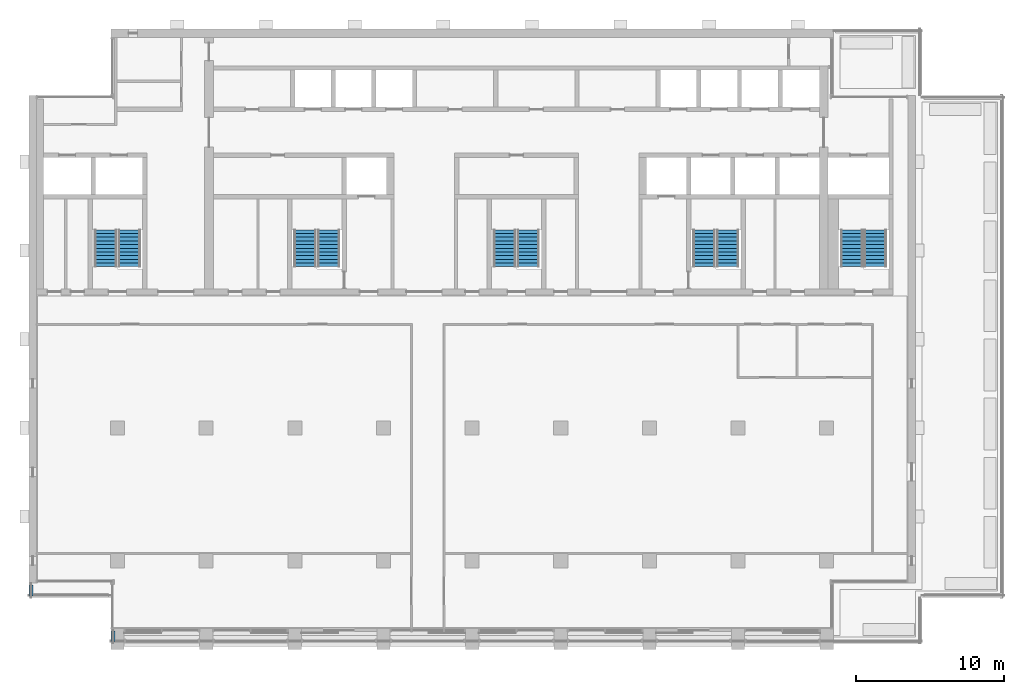
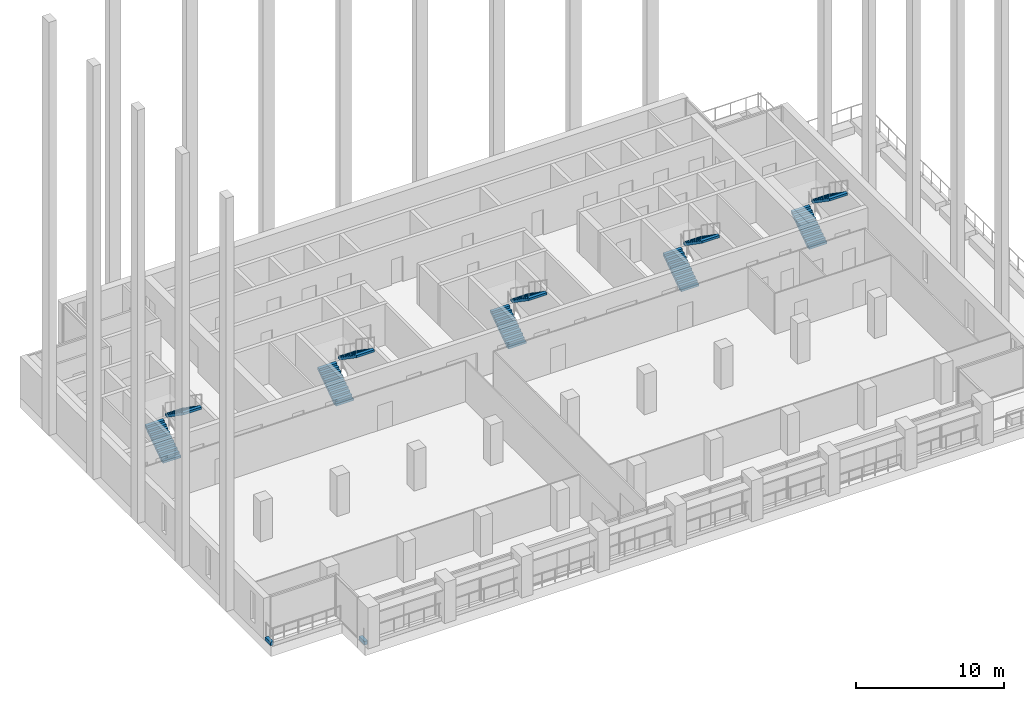
# One storey, part 12 of 16: 10 stair flights, 2 walls, 5 elements without a shape of their own.
"""IFC4 building model written with IfcOpenShell, lengths in metres."""

from ifc_helpers import new_model, si_unit, direction, frame, frame_2d, origin, place, context, subcontext, project, spatial, polyline, rectangle, outline, extrude, material, layer, layer_set, type_object, element, aggregate, save


model = new_model("IFC4")

# Units and contexts
model_context = context("Model", 3, precision=1e-05, world=origin(), true_north=direction((0.0, 1.0)))
body_context = subcontext(model_context, "Body", "Model", "MODEL_VIEW")
ifc_project = project(units=[si_unit("LENGTHUNIT", "METRE"), si_unit("AREAUNIT", "SQUARE_METRE"), si_unit("VOLUMEUNIT", "CUBIC_METRE"), si_unit("PLANEANGLEUNIT", "RADIAN"), si_unit("MASSUNIT", "GRAM", prefix="KILO")], contexts=[model_context])

# Site, building, storey
site_placement = place(None, origin())
site = spatial("IfcSite", under=ifc_project, at=site_placement, CompositionType="ELEMENT")
building_placement = place(site_placement, origin())
building = spatial("IfcBuilding", under=site, at=building_placement, Name="Calvaro Tower", CompositionType="ELEMENT")
storey_placement = place(building_placement, frame((0.0, 0.0, 231.75)))
storey = spatial("IfcBuildingStorey", under=building, at=storey_placement, Name="L58", CompositionType="ELEMENT", Elevation=231.75)

# Walls
ifc_material_1 = material(Name="Concrete C40/50", Category="concrete")
ifc_layer_1 = layer(ifc_material_1, 0.199951171875, Name="Structure")
ifc_material_2 = material(Name="Reconstituted stone coping")
ifc_layer_2 = layer(ifc_material_2, 0.050048828125, Name="Finish")
ifc_layer_set = layer_set([ifc_layer_1, ifc_layer_2], Name="Concrete C40/50")
wall_type = type_object("IfcWallType", Name="Terrace edge kerb 250", PredefinedType="PARAPET", material=ifc_layer_set)
for number, where, z_axis, x_axis, name in (
    (1, (6.14990234375, 7.625, 0.0), (0.0, 0.0, 1.0), (0.0, 1.0, 0.0), "Terrace edge kerb"),
    (2, (11.699951171875, 4.52490234375, 0.0), (0.0, 0.0, 1.0), (0.0, 1.0, 0.0), "Terrace edge kerb"),
):
    element("IfcWall", number, at=place(storey_placement, frame(where, z_axis=z_axis, x_axis=x_axis)), inside=storey, type_object=wall_type, Name=name, PredefinedType="PARAPET", context=body_context, shape_type="SweptSolid", body=[
        extrude(rectangle(XDim=0.72998046875, YDim=0.25, at=frame_2d((0.364990234375, 0.0))), origin(), (0.0, 0.0, 1.0), 0.300048828125),
    ])

# Stair, stair flights
ifc_material_3 = material(Name="Concrete C40/50", Category="concrete")
stair_type = type_object("IfcStairType", Name="Exit stair 1400 2 flights", PredefinedType="HALF_TURN_STAIR", material=ifc_material_3)
stair_1_placement = place(storey_placement, origin())
stair_1 = element("IfcStair", 3, at=stair_1_placement, inside=storey, type_object=stair_type, Name="Exit stair S1", PredefinedType="HALF_TURN_STAIR")
ifc_material_4 = material(Name="Concrete C40/50", Category="concrete")
stair_flight_type = type_object("IfcStairFlightType", Name="Stair flight", PredefinedType="STRAIGHT", material=ifc_material_4)
stair_flight_1_placement = place(storey_placement, frame((11.199951171875, 29.89990234375, 0.0), z_axis=(0.0, 0.0, 1.0), x_axis=(0.0, 1.0, 0.0)))
stair_flight_1 = element("IfcStairFlight", 4, at=stair_flight_1_placement, type_object=stair_flight_type, Name="Exit stair 1, flight 1", NumberOfRisers=11, NumberOfTreads=10, PredefinedType="STRAIGHT", RiserHeight=0.172727273, TreadLength=0.25, context=body_context, shape_type="SweptSolid", body=[
    extrude(outline(polyline([(0.0, 0.0), (0.0, 0.172607421875), (0.25, 0.172607421875), (0.25, 0.345458984375), (0.5, 0.345458984375), (0.5, 0.51806640625), (0.75, 0.51806640625), (0.75, 0.69091796875), (1.0, 0.69091796875), (1.0, 0.863525390625), (1.25, 0.863525390625), (1.25, 1.036376953125), (1.5, 1.036376953125), (1.5, 1.208984375), (1.75, 1.208984375), (1.75, 1.3818359375), (2.0, 1.3818359375), (2.0, 1.554443359375), (2.25, 1.554443359375), (2.25, 1.727294921875), (2.5, 1.727294921875), (2.5, 1.89990234375), (2.5, 1.545166015625), (0.263671875, 0.0), (0.0, 0.0)])), frame((0.0, 0.699951171875, 0.0), z_axis=(0.0, -1.0, 0.0), x_axis=(1.0, 0.0, 0.0)), (0.0, 0.0, 1.0), 1.39990234375),
])
stair_flight_2_placement = place(storey_placement, frame((12.800048828125, 32.39990234375, 1.89990234375), z_axis=(0.0, 0.0, 1.0), x_axis=(0.0, -1.0, 0.0)))
stair_flight_2 = element("IfcStairFlight", 5, at=stair_flight_2_placement, type_object=stair_flight_type, Name="Exit stair 1, flight 2", NumberOfRisers=11, NumberOfTreads=10, PredefinedType="STRAIGHT", RiserHeight=0.172727273, TreadLength=0.25, context=body_context, shape_type="SweptSolid", body=[
    extrude(outline(polyline([(0.0, 0.0), (0.0, 0.172607421875), (0.25, 0.172607421875), (0.25, 0.345458984375), (0.5, 0.345458984375), (0.5, 0.51806640625), (0.75, 0.51806640625), (0.75, 0.69091796875), (1.0, 0.69091796875), (1.0, 0.863525390625), (1.25, 0.863525390625), (1.25, 1.036376953125), (1.5, 1.036376953125), (1.5, 1.208984375), (1.75, 1.208984375), (1.75, 1.3818359375), (2.0, 1.3818359375), (2.0, 1.554443359375), (2.25, 1.554443359375), (2.25, 1.727294921875), (2.5, 1.727294921875), (2.5, 1.89990234375), (2.5, 1.545166015625), (0.263671875, 0.0), (0.0, 0.0)])), frame((0.0, 0.699951171875, 0.0), z_axis=(0.0, -1.0, 0.0), x_axis=(1.0, 0.0, 0.0)), (0.0, 0.0, 1.0), 1.39990234375),
])
aggregate(stair_1, [stair_flight_1, stair_flight_2])

stair_2_placement = place(storey_placement, origin())
stair_2 = element("IfcStair", 6, at=stair_2_placement, inside=storey, type_object=stair_type, Name="Exit stair S2", PredefinedType="HALF_TURN_STAIR")
stair_flight_3_placement = place(storey_placement, frame((24.699951171875, 29.89990234375, 0.0), z_axis=(0.0, 0.0, 1.0), x_axis=(0.0, 1.0, 0.0)))
stair_flight_3 = element("IfcStairFlight", 7, at=stair_flight_3_placement, type_object=stair_flight_type, Name="Exit stair 2, flight 1", NumberOfRisers=11, NumberOfTreads=10, PredefinedType="STRAIGHT", RiserHeight=0.172727273, TreadLength=0.25, context=body_context, shape_type="SweptSolid", body=[
    extrude(outline(polyline([(0.0, 0.0), (0.0, 0.172607421875), (0.25, 0.172607421875), (0.25, 0.345458984375), (0.5, 0.345458984375), (0.5, 0.51806640625), (0.75, 0.51806640625), (0.75, 0.69091796875), (1.0, 0.69091796875), (1.0, 0.863525390625), (1.25, 0.863525390625), (1.25, 1.036376953125), (1.5, 1.036376953125), (1.5, 1.208984375), (1.75, 1.208984375), (1.75, 1.3818359375), (2.0, 1.3818359375), (2.0, 1.554443359375), (2.25, 1.554443359375), (2.25, 1.727294921875), (2.5, 1.727294921875), (2.5, 1.89990234375), (2.5, 1.545166015625), (0.263671875, 0.0), (0.0, 0.0)])), frame((0.0, 0.699951171875, 0.0), z_axis=(0.0, -1.0, 0.0), x_axis=(1.0, 0.0, 0.0)), (0.0, 0.0, 1.0), 1.39990234375),
])
stair_flight_4_placement = place(storey_placement, frame((26.300048828125, 32.39990234375, 1.89990234375), z_axis=(0.0, 0.0, 1.0), x_axis=(0.0, -1.0, 0.0)))
stair_flight_4 = element("IfcStairFlight", 8, at=stair_flight_4_placement, type_object=stair_flight_type, Name="Exit stair 2, flight 2", NumberOfRisers=11, NumberOfTreads=10, PredefinedType="STRAIGHT", RiserHeight=0.172727273, TreadLength=0.25, context=body_context, shape_type="SweptSolid", body=[
    extrude(outline(polyline([(0.0, 0.0), (0.0, 0.172607421875), (0.25, 0.172607421875), (0.25, 0.345458984375), (0.5, 0.345458984375), (0.5, 0.51806640625), (0.75, 0.51806640625), (0.75, 0.69091796875), (1.0, 0.69091796875), (1.0, 0.863525390625), (1.25, 0.863525390625), (1.25, 1.036376953125), (1.5, 1.036376953125), (1.5, 1.208984375), (1.75, 1.208984375), (1.75, 1.3818359375), (2.0, 1.3818359375), (2.0, 1.554443359375), (2.25, 1.554443359375), (2.25, 1.727294921875), (2.5, 1.727294921875), (2.5, 1.89990234375), (2.5, 1.545166015625), (0.263671875, 0.0), (0.0, 0.0)])), frame((0.0, 0.699951171875, 0.0), z_axis=(0.0, -1.0, 0.0), x_axis=(1.0, 0.0, 0.0)), (0.0, 0.0, 1.0), 1.39990234375),
])
aggregate(stair_2, [stair_flight_3, stair_flight_4])

stair_3_placement = place(storey_placement, origin())
stair_3 = element("IfcStair", 9, at=stair_3_placement, inside=storey, type_object=stair_type, Name="Exit stair S3", PredefinedType="HALF_TURN_STAIR")
stair_flight_5_placement = place(storey_placement, frame((38.199951171875, 29.89990234375, 0.0), z_axis=(0.0, 0.0, 1.0), x_axis=(0.0, 1.0, 0.0)))
stair_flight_5 = element("IfcStairFlight", 10, at=stair_flight_5_placement, type_object=stair_flight_type, Name="Exit stair 3, flight 1", NumberOfRisers=11, NumberOfTreads=10, PredefinedType="STRAIGHT", RiserHeight=0.172727273, TreadLength=0.25, context=body_context, shape_type="SweptSolid", body=[
    extrude(outline(polyline([(0.0, 0.0), (0.0, 0.172607421875), (0.25, 0.172607421875), (0.25, 0.345458984375), (0.5, 0.345458984375), (0.5, 0.51806640625), (0.75, 0.51806640625), (0.75, 0.69091796875), (1.0, 0.69091796875), (1.0, 0.863525390625), (1.25, 0.863525390625), (1.25, 1.036376953125), (1.5, 1.036376953125), (1.5, 1.208984375), (1.75, 1.208984375), (1.75, 1.3818359375), (2.0, 1.3818359375), (2.0, 1.554443359375), (2.25, 1.554443359375), (2.25, 1.727294921875), (2.5, 1.727294921875), (2.5, 1.89990234375), (2.5, 1.545166015625), (0.263671875, 0.0), (0.0, 0.0)])), frame((0.0, 0.699951171875, 0.0), z_axis=(0.0, -1.0, 0.0), x_axis=(1.0, 0.0, 0.0)), (0.0, 0.0, 1.0), 1.39990234375),
])
stair_flight_6_placement = place(storey_placement, frame((39.800048828125, 32.39990234375, 1.89990234375), z_axis=(0.0, 0.0, 1.0), x_axis=(0.0, -1.0, 0.0)))
stair_flight_6 = element("IfcStairFlight", 11, at=stair_flight_6_placement, type_object=stair_flight_type, Name="Exit stair 3, flight 2", NumberOfRisers=11, NumberOfTreads=10, PredefinedType="STRAIGHT", RiserHeight=0.172727273, TreadLength=0.25, context=body_context, shape_type="SweptSolid", body=[
    extrude(outline(polyline([(0.0, 0.0), (0.0, 0.172607421875), (0.25, 0.172607421875), (0.25, 0.345458984375), (0.5, 0.345458984375), (0.5, 0.51806640625), (0.75, 0.51806640625), (0.75, 0.69091796875), (1.0, 0.69091796875), (1.0, 0.863525390625), (1.25, 0.863525390625), (1.25, 1.036376953125), (1.5, 1.036376953125), (1.5, 1.208984375), (1.75, 1.208984375), (1.75, 1.3818359375), (2.0, 1.3818359375), (2.0, 1.554443359375), (2.25, 1.554443359375), (2.25, 1.727294921875), (2.5, 1.727294921875), (2.5, 1.89990234375), (2.5, 1.545166015625), (0.263671875, 0.0), (0.0, 0.0)])), frame((0.0, 0.699951171875, 0.0), z_axis=(0.0, -1.0, 0.0), x_axis=(1.0, 0.0, 0.0)), (0.0, 0.0, 1.0), 1.39990234375),
])
aggregate(stair_3, [stair_flight_5, stair_flight_6])

stair_4_placement = place(storey_placement, origin())
stair_4 = element("IfcStair", 12, at=stair_4_placement, inside=storey, type_object=stair_type, Name="Exit stair S4", PredefinedType="HALF_TURN_STAIR")
stair_flight_7_placement = place(storey_placement, frame((51.699951171875, 29.89990234375, 0.0), z_axis=(0.0, 0.0, 1.0), x_axis=(0.0, 1.0, 0.0)))
stair_flight_7 = element("IfcStairFlight", 13, at=stair_flight_7_placement, type_object=stair_flight_type, Name="Exit stair 4, flight 1", NumberOfRisers=11, NumberOfTreads=10, PredefinedType="STRAIGHT", RiserHeight=0.172727273, TreadLength=0.25, context=body_context, shape_type="SweptSolid", body=[
    extrude(outline(polyline([(0.0, 0.0), (0.0, 0.172607421875), (0.25, 0.172607421875), (0.25, 0.345458984375), (0.5, 0.345458984375), (0.5, 0.51806640625), (0.75, 0.51806640625), (0.75, 0.69091796875), (1.0, 0.69091796875), (1.0, 0.863525390625), (1.25, 0.863525390625), (1.25, 1.036376953125), (1.5, 1.036376953125), (1.5, 1.208984375), (1.75, 1.208984375), (1.75, 1.3818359375), (2.0, 1.3818359375), (2.0, 1.554443359375), (2.25, 1.554443359375), (2.25, 1.727294921875), (2.5, 1.727294921875), (2.5, 1.89990234375), (2.5, 1.545166015625), (0.263671875, 0.0), (0.0, 0.0)])), frame((0.0, 0.699951171875, 0.0), z_axis=(0.0, -1.0, 0.0), x_axis=(1.0, 0.0, 0.0)), (0.0, 0.0, 1.0), 1.39990234375),
])
stair_flight_8_placement = place(storey_placement, frame((53.300048828125, 32.39990234375, 1.89990234375), z_axis=(0.0, 0.0, 1.0), x_axis=(0.0, -1.0, 0.0)))
stair_flight_8 = element("IfcStairFlight", 14, at=stair_flight_8_placement, type_object=stair_flight_type, Name="Exit stair 4, flight 2", NumberOfRisers=11, NumberOfTreads=10, PredefinedType="STRAIGHT", RiserHeight=0.172727273, TreadLength=0.25, context=body_context, shape_type="SweptSolid", body=[
    extrude(outline(polyline([(0.0, 0.0), (0.0, 0.172607421875), (0.25, 0.172607421875), (0.25, 0.345458984375), (0.5, 0.345458984375), (0.5, 0.51806640625), (0.75, 0.51806640625), (0.75, 0.69091796875), (1.0, 0.69091796875), (1.0, 0.863525390625), (1.25, 0.863525390625), (1.25, 1.036376953125), (1.5, 1.036376953125), (1.5, 1.208984375), (1.75, 1.208984375), (1.75, 1.3818359375), (2.0, 1.3818359375), (2.0, 1.554443359375), (2.25, 1.554443359375), (2.25, 1.727294921875), (2.5, 1.727294921875), (2.5, 1.89990234375), (2.5, 1.545166015625), (0.263671875, 0.0), (0.0, 0.0)])), frame((0.0, 0.699951171875, 0.0), z_axis=(0.0, -1.0, 0.0), x_axis=(1.0, 0.0, 0.0)), (0.0, 0.0, 1.0), 1.39990234375),
])
aggregate(stair_4, [stair_flight_7, stair_flight_8])

stair_5_placement = place(storey_placement, origin())
stair_5 = element("IfcStair", 15, at=stair_5_placement, inside=storey, type_object=stair_type, Name="Exit stair S5", PredefinedType="HALF_TURN_STAIR")
stair_flight_9_placement = place(storey_placement, frame((61.699951171875, 29.89990234375, 0.0), z_axis=(0.0, 0.0, 1.0), x_axis=(0.0, 1.0, 0.0)))
stair_flight_9 = element("IfcStairFlight", 16, at=stair_flight_9_placement, type_object=stair_flight_type, Name="Exit stair 5, flight 1", NumberOfRisers=11, NumberOfTreads=10, PredefinedType="STRAIGHT", RiserHeight=0.172727273, TreadLength=0.25, context=body_context, shape_type="SweptSolid", body=[
    extrude(outline(polyline([(0.0, 0.0), (0.0, 0.172607421875), (0.25, 0.172607421875), (0.25, 0.345458984375), (0.5, 0.345458984375), (0.5, 0.51806640625), (0.75, 0.51806640625), (0.75, 0.69091796875), (1.0, 0.69091796875), (1.0, 0.863525390625), (1.25, 0.863525390625), (1.25, 1.036376953125), (1.5, 1.036376953125), (1.5, 1.208984375), (1.75, 1.208984375), (1.75, 1.3818359375), (2.0, 1.3818359375), (2.0, 1.554443359375), (2.25, 1.554443359375), (2.25, 1.727294921875), (2.5, 1.727294921875), (2.5, 1.89990234375), (2.5, 1.545166015625), (0.263671875, 0.0), (0.0, 0.0)])), frame((0.0, 0.699951171875, 0.0), z_axis=(0.0, -1.0, 0.0), x_axis=(1.0, 0.0, 0.0)), (0.0, 0.0, 1.0), 1.39990234375),
])
stair_flight_10_placement = place(storey_placement, frame((63.300048828125, 32.39990234375, 1.89990234375), z_axis=(0.0, 0.0, 1.0), x_axis=(0.0, -1.0, 0.0)))
stair_flight_10 = element("IfcStairFlight", 17, at=stair_flight_10_placement, type_object=stair_flight_type, Name="Exit stair 5, flight 2", NumberOfRisers=11, NumberOfTreads=10, PredefinedType="STRAIGHT", RiserHeight=0.172727273, TreadLength=0.25, context=body_context, shape_type="SweptSolid", body=[
    extrude(outline(polyline([(0.0, 0.0), (0.0, 0.172607421875), (0.25, 0.172607421875), (0.25, 0.345458984375), (0.5, 0.345458984375), (0.5, 0.51806640625), (0.75, 0.51806640625), (0.75, 0.69091796875), (1.0, 0.69091796875), (1.0, 0.863525390625), (1.25, 0.863525390625), (1.25, 1.036376953125), (1.5, 1.036376953125), (1.5, 1.208984375), (1.75, 1.208984375), (1.75, 1.3818359375), (2.0, 1.3818359375), (2.0, 1.554443359375), (2.25, 1.554443359375), (2.25, 1.727294921875), (2.5, 1.727294921875), (2.5, 1.89990234375), (2.5, 1.545166015625), (0.263671875, 0.0), (0.0, 0.0)])), frame((0.0, 0.699951171875, 0.0), z_axis=(0.0, -1.0, 0.0), x_axis=(1.0, 0.0, 0.0)), (0.0, 0.0, 1.0), 1.39990234375),
])
aggregate(stair_5, [stair_flight_9, stair_flight_10])

save(model, "model.ifc")
